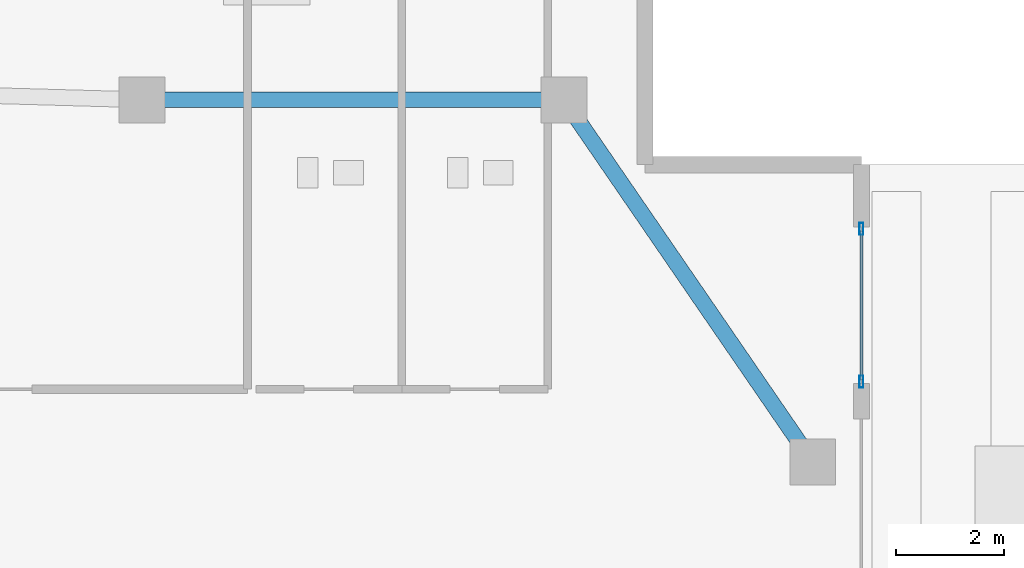
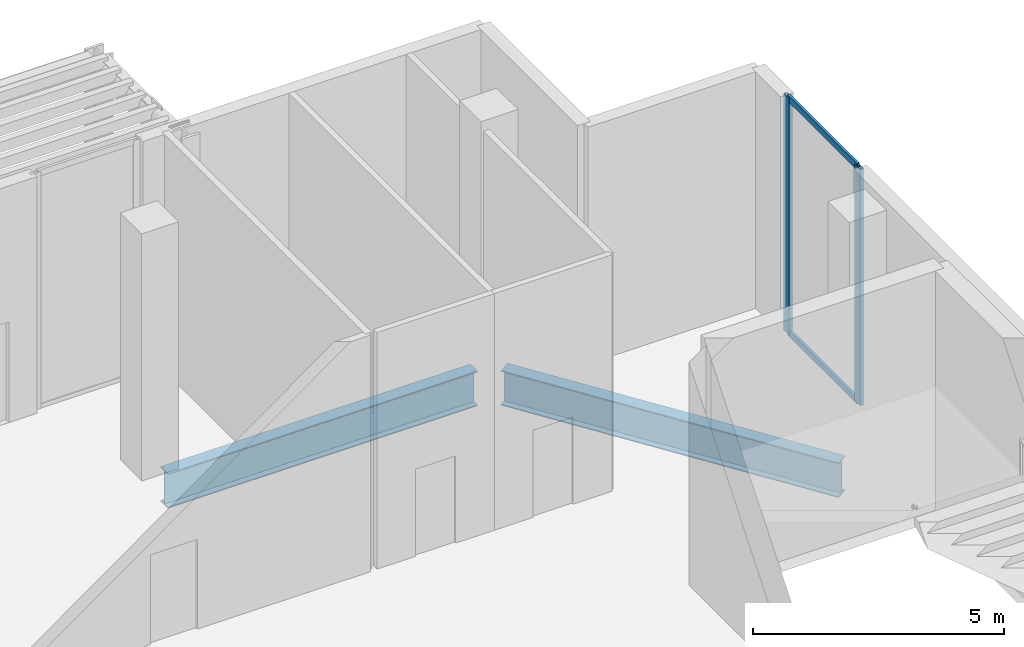
# One storey, part 24 of 39: 4 members, 2 beams, 1 element without a shape of its own.
"""IFC4 building model written with IfcOpenShell, lengths in metres."""

from ifc_helpers import new_model, si_unit, direction, frame, origin, origin_2d, place, context, subcontext, project, spatial, hollow_rectangle, i_section, extrude, material, layer, layer_set, material_profile, profile_set, type_object, element, aggregate, save


model = new_model("IFC4")

# Units and contexts
model_context = context("Model", 3, precision=1e-05, world=origin(), true_north=direction((0.0, 1.0)))
body_context = subcontext(model_context, "Body", "Model", "MODEL_VIEW")
ifc_project = project(units=[si_unit("LENGTHUNIT", "METRE"), si_unit("AREAUNIT", "SQUARE_METRE"), si_unit("VOLUMEUNIT", "CUBIC_METRE"), si_unit("PLANEANGLEUNIT", "RADIAN"), si_unit("MASSUNIT", "GRAM", prefix="KILO")], contexts=[model_context])

# Site, building, storey
site_placement = place(None, origin())
site = spatial("IfcSite", under=ifc_project, at=site_placement, CompositionType="ELEMENT")
building_placement = place(site_placement, origin())
building = spatial("IfcBuilding", under=site, at=building_placement, Name="Zuhayl Quay Hotel", CompositionType="ELEMENT")
storey_placement = place(building_placement, origin())
storey = spatial("IfcBuildingStorey", under=building, at=storey_placement, Name="L00", CompositionType="ELEMENT", Elevation=0.0)

# Beams
ifc_material_1 = material(Name="Steel ASTM A992 Grade 50", Category="steel")
ifc_material_profile_1 = material_profile(ifc_material_1, i_section(OverallWidth=0.2919921875, OverallDepth=0.845947265625, WebThickness=0.015380859375, FlangeThickness=0.0244140625, at=origin_2d()), Name="W33X141")
ifc_profile_set_1 = profile_set([ifc_material_profile_1], Name="Steel ASTM A992 Grade 50")
beam_type = type_object("IfcBeamType", Name="BM_PG3_W33X141", PredefinedType="BEAM", material=ifc_profile_set_1)
beam_1_placement = place(storey_placement, frame((23.0400390625, 22.199951171875, -0.68310546875), z_axis=(1.0, 0.0, 0.0), x_axis=(0.0, 1.0, 0.0)))
element("IfcBeam", 1, at=beam_1_placement, inside=storey, type_object=beam_type, Name="L00 Floor Beam PG_N_L00_6", PredefinedType="BEAM", context=body_context, shape_type="SweptSolid", body=[
    extrude(i_section(OverallWidth=0.2919921875, OverallDepth=0.845947265625, WebThickness=0.015380859375, FlangeThickness=0.0244140625, at=origin_2d()), origin(), (0.0, 0.0, 1.0), 7.119873046875),
])
beam_2_placement = place(storey_placement, frame((34.90771484375, 15.7802734375, -0.68310546875), z_axis=(-0.566026455068, 0.824387076659, 0.0), x_axis=(-0.824387076659, -0.566026455068, 0.0)))
element("IfcBeam", 2, at=beam_2_placement, inside=storey, type_object=beam_type, Name="L00 Floor Beam PG_E_L00_3", PredefinedType="BEAM", context=body_context, shape_type="SweptSolid", body=[
    extrude(i_section(OverallWidth=0.2919921875, OverallDepth=0.845947265625, WebThickness=0.015380859375, FlangeThickness=0.0244140625, at=origin_2d()), origin(), (0.0, 0.0, 1.0), 7.447265625),
])

# Curtain wall, members
ifc_material_2 = material(Name="Anodised Aluminium 6063-T6", Category="aluminium")
ifc_layer = layer(ifc_material_2, 0.199951171875, Name="Anodised Aluminium 6063-T6", Category="aluminium")
ifc_layer_set = layer_set([ifc_layer], Name="Anodised Aluminium 6063-T6")
curtain_wall_type = type_object("IfcCurtainWallType", Name="CW_SYS_POD", PredefinedType="USERDEFINED", material=ifc_layer_set)
curtain_wall_placement = place(storey_placement, origin())
curtain_wall = element("IfcCurtainWall", 3, at=curtain_wall_placement, inside=storey, type_object=curtain_wall_type, Name="L00 Curtain Wall ENV_L00_E08_CW1", ObjectType="UNITISED CURTAIN WALL", PredefinedType="USERDEFINED")
ifc_material_3 = material(Name="Black-anodised aluminium 6063-T6", Category="aluminium")
ifc_material_profile_2 = material_profile(ifc_material_3, hollow_rectangle(XDim=0.074951171875, YDim=0.219970703125, WallThickness=0.00390625, at=origin_2d()), Name="ALU220X75")
ifc_profile_set_2 = profile_set([ifc_material_profile_2], Name="Black-anodised aluminium 6063-T6")
member_type_1 = type_object("IfcMemberType", Name="MB_CW_MUL_220", PredefinedType="MULLION", material=ifc_profile_set_2)
member_1_placement = place(storey_placement, frame((36.0, 19.8125, 0.0), z_axis=(0.0, 0.0, 1.0), x_axis=(1.0, 0.0, 0.0)))
member_1 = element("IfcMember", 4, at=member_1_placement, type_object=member_type_1, Name="CW-POD mullion 1", PredefinedType="MULLION", context=body_context, shape_type="SweptSolid", body=[
    extrude(hollow_rectangle(XDim=0.074951171875, YDim=0.219970703125, WallThickness=0.00390625, at=origin_2d()), origin(), (0.0, 0.0, 1.0), 5.75),
])
member_2_placement = place(storey_placement, frame((36.0, 16.987548828125, 0.0), z_axis=(0.0, 0.0, 1.0), x_axis=(1.0, 0.0, 0.0)))
member_2 = element("IfcMember", 5, at=member_2_placement, type_object=member_type_1, Name="CW-POD mullion 2", PredefinedType="MULLION", context=body_context, shape_type="SweptSolid", body=[
    extrude(hollow_rectangle(XDim=0.074951171875, YDim=0.219970703125, WallThickness=0.00390625, at=origin_2d()), origin(), (0.0, 0.0, 1.0), 5.75),
])
ifc_material_profile_3 = material_profile(ifc_material_3, hollow_rectangle(XDim=0.06005859375, YDim=0.14990234375, WallThickness=0.00341796875, at=origin_2d()), Name="ALU150X60")
ifc_profile_set_3 = profile_set([ifc_material_profile_3], Name="Black-anodised aluminium 6063-T6")
member_type_2 = type_object("IfcMemberType", Name="MB_CW_TRN_150", PredefinedType="USERDEFINED", material=ifc_profile_set_3)
member_3_placement = place(storey_placement, frame((36.0, 19.77490234375, 0.030029296875), z_axis=(0.0, -1.0, 0.0), x_axis=(1.0, 0.0, 0.0)))
member_3 = element("IfcMember", 6, at=member_3_placement, type_object=member_type_2, Name="CW-POD transom 1.1", ObjectType="TRANSOM", PredefinedType="USERDEFINED", context=body_context, shape_type="SweptSolid", body=[
    extrude(hollow_rectangle(XDim=0.06005859375, YDim=0.14990234375, WallThickness=0.00341796875, at=origin_2d()), origin(), (0.0, 0.0, 1.0), 2.75),
])
member_4_placement = place(storey_placement, frame((36.0, 19.77490234375, 5.719970703125), z_axis=(0.0, -1.0, 0.0), x_axis=(1.0, 0.0, 0.0)))
member_4 = element("IfcMember", 7, at=member_4_placement, type_object=member_type_2, Name="CW-POD transom 1.2", ObjectType="TRANSOM", PredefinedType="USERDEFINED", context=body_context, shape_type="SweptSolid", body=[
    extrude(hollow_rectangle(XDim=0.06005859375, YDim=0.14990234375, WallThickness=0.00341796875, at=origin_2d()), origin(), (0.0, 0.0, 1.0), 2.75),
])
aggregate(curtain_wall, [member_1, member_2, member_3, member_4])

save(model, "model.ifc")
